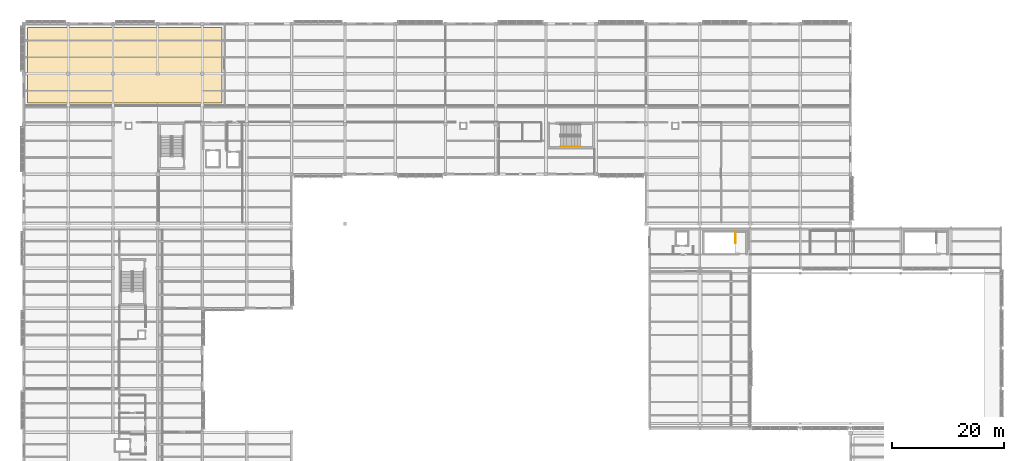
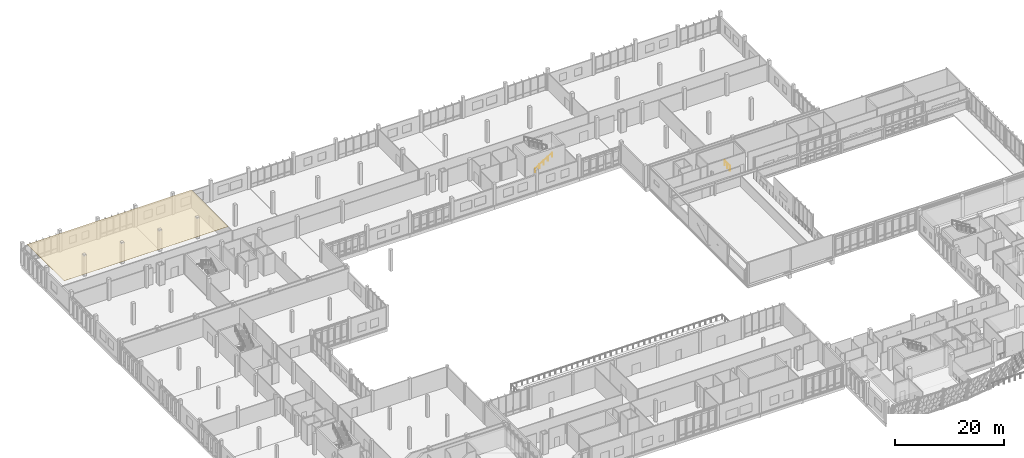
# One storey, part 172 of 177: 2 railings, 1 covering.
"""IFC4 building model written with IfcOpenShell, lengths in metres."""

import ifcopenshell
import ifcopenshell.guid

model = None  # the IFC model being written
_history = None  # IfcOwnerHistory: only IFC2X3 demands one
_inside = {}  # id of a spatial element -> (the spatial element, [elements in it])
_under = {}  # id of a project, library or spatial element -> (it, [spatial elements below it])
_declared = {}  # id of a project -> (the project, [libraries it declares])
_typed = {}  # id of a type object -> (the type object, [elements of that type])
_made_of = {}  # id of a material, layer set ... -> (it, [elements and type objects made of it])


def new_model(schema):
    """Start an empty IFC model of exactly this schema.

    Asked for "IFC4X3", IfcOpenShell would pick the latest addendum, in which some entities
    have other attributes; the version numbers below select the first issue.
    IFC2X3 requires an IfcOwnerHistory on every rooted entity: one is made here for all.
    """
    global model, _history
    if schema == "IFC4X3":
        model = ifcopenshell.file(schema_version=(4, 3, 0, 0))
    else:
        model = ifcopenshell.file(schema=schema)
    _inside.clear()
    _under.clear()
    _declared.clear()
    _typed.clear()
    _made_of.clear()
    _history = None
    if model.schema == "IFC2X3":
        org = make("IfcOrganization", Name="unknown")
        user = make(
            "IfcPersonAndOrganization",
            ThePerson=make("IfcPerson", FamilyName="unknown"),
            TheOrganization=org,
        )
        app = make(
            "IfcApplication",
            ApplicationDeveloper=org,
            Version="unknown",
            ApplicationFullName="unknown",
            ApplicationIdentifier="unknown",
        )
        _history = make(
            "IfcOwnerHistory",
            OwningUser=user,
            OwningApplication=app,
            ChangeAction="ADDED",
            CreationDate=0,
        )
    return model


def make(cls, **values):
    """One entity of the class cls with the attributes given. An attribute that is None is left unset."""
    return model.create_entity(
        cls, **{name: value for name, value in values.items() if value is not None}
    )


def rooted(cls, **values):
    """An entity with a GlobalId (a new one), such as an element, a storey or a relation."""
    return make(cls, GlobalId=ifcopenshell.guid.new(), OwnerHistory=_history, **values)


def si_unit(unit_type, name, prefix=None):
    """IfcSIUnit, for example si_unit("LENGTHUNIT", "METRE", prefix="MILLI")."""
    return make("IfcSIUnit", UnitType=unit_type, Prefix=prefix, Name=name)


def assignment(units):
    """IfcUnitAssignment: the units of a project."""
    return None if units is None else make("IfcUnitAssignment", Units=units)


def point(xyz):
    """IfcCartesianPoint."""
    return None if xyz is None else make("IfcCartesianPoint", Coordinates=xyz)


def direction(xyz):
    """IfcDirection."""
    return None if xyz is None else make("IfcDirection", DirectionRatios=xyz)


def frame(location, z_axis=None, x_axis=None):
    """IfcAxis2Placement3D, a coordinate frame: its origin and axes. An axis left out is left unset."""
    return make(
        "IfcAxis2Placement3D",
        Location=point(location),
        Axis=direction(z_axis),
        RefDirection=direction(x_axis),
    )


def frame_2d(location, x_axis=None):
    """IfcAxis2Placement2D, a coordinate frame in the plane: its origin and x axis."""
    return make(
        "IfcAxis2Placement2D", Location=point(location), RefDirection=direction(x_axis)
    )


def origin():
    """The frame at (0, 0, 0) with its axes left unset."""
    return frame((0.0, 0.0, 0.0))


def origin_2d():
    """The frame at (0, 0) in the plane with its x axis left unset."""
    return frame_2d((0.0, 0.0))


def place(relative_to, where):
    """IfcLocalPlacement: puts the frame where relative to a parent placement (None: the world)."""
    return make(
        "IfcLocalPlacement", PlacementRelTo=relative_to, RelativePlacement=where
    )


def context(
    kind, dimensions, precision=None, world=None, true_north=None, identifier=None
):
    """IfcGeometricRepresentationContext, for example the 3D "Model" context."""
    return make(
        "IfcGeometricRepresentationContext",
        ContextIdentifier=identifier,
        ContextType=kind,
        CoordinateSpaceDimension=dimensions,
        Precision=precision,
        WorldCoordinateSystem=world,
        TrueNorth=true_north,
    )


def subcontext(parent, identifier, kind, view, scale=None):
    """IfcGeometricRepresentationSubContext, for example "Body" below "Model"."""
    return make(
        "IfcGeometricRepresentationSubContext",
        ContextIdentifier=identifier,
        ContextType=kind,
        ParentContext=parent,
        TargetScale=scale,
        TargetView=view,
    )


def project(units=None, contexts=None):
    """IfcProject with its units and contexts."""
    return rooted(
        "IfcProject",
        Name="project",
        RepresentationContexts=contexts,
        UnitsInContext=assignment(units),
    )


def spatial(cls, under=None, at=None, **own):
    """A site, building, storey or space (cls), placed at a placement, below another one or the project."""
    s = rooted(cls, ObjectPlacement=at, **own)
    if under is not None:
        _under.setdefault(under.id(), (under, []))[1].append(s)
    return s


def polyline(points):
    """IfcPolyline through the points."""
    return make("IfcPolyline", Points=[point(p) for p in points])


def profile(cls, at=None, kind="AREA", **sizes):
    """A parametric profile (cls). Its sizes go by their IFC names, for example OverallWidth=200.0."""
    return make(cls, ProfileType=kind, Position=at, **sizes)


def circle(**sizes):
    """IfcCircleProfileDef."""
    return profile("IfcCircleProfileDef", **sizes)


def outline(outer, holes=None, kind="AREA"):
    """IfcArbitraryClosedProfileDef: a profile drawn as a closed curve; with holes, ...WithVoids."""
    if holes is None:
        return make("IfcArbitraryClosedProfileDef", ProfileType=kind, OuterCurve=outer)
    return make(
        "IfcArbitraryProfileDefWithVoids",
        ProfileType=kind,
        OuterCurve=outer,
        InnerCurves=holes,
    )


def extrude(swept, where, along, depth):
    """IfcExtrudedAreaSolid: the profile swept, set in the frame where, extruded along a direction by depth."""
    return make(
        "IfcExtrudedAreaSolid",
        SweptArea=swept,
        Position=where,
        ExtrudedDirection=direction(along),
        Depth=depth,
    )


def shape(context_of_items, identifier, shape_type, items):
    """IfcShapeRepresentation: the items that make up one representation, for example the "Body"."""
    return make(
        "IfcShapeRepresentation",
        ContextOfItems=context_of_items,
        RepresentationIdentifier=identifier,
        RepresentationType=shape_type,
        Items=items,
    )


def material(Name=None, Category=None):
    """IfcMaterial."""
    return make("IfcMaterial", Name=Name, Category=Category)


def layer(
    of_material, thickness, ventilated=None, Name=None, Category=None, Priority=None
):
    """IfcMaterialLayer: one layer of a wall or slab, of a material (None: an air gap)."""
    return make(
        "IfcMaterialLayer",
        Material=of_material,
        LayerThickness=thickness,
        IsVentilated=ventilated,
        Name=Name,
        Category=Category,
        Priority=Priority,
    )


def layer_set(layers, Name=None):
    """IfcMaterialLayerSet."""
    return make("IfcMaterialLayerSet", MaterialLayers=layers, LayerSetName=Name)


def made_of(thing, what):
    """Note that an element or type object is made of a material, layer set ...; save() writes the relation."""
    if what is not None:
        _made_of.setdefault(what.id(), (what, []))[1].append(thing)
    return thing


def type_object(cls, material=None, **own):
    """A type object (cls), such as IfcWallType, which elements share."""
    return made_of(rooted(cls, **own), material)


def element(
    cls,
    number,
    at=None,
    inside=None,
    cuts=None,
    type_object=None,
    material=None,
    context=None,
    identifier="Body",
    shape_type=None,
    held_by="IfcProductDefinitionShape",
    body=None,
    shapes=None,
    **own,
):
    """One element of the class cls, such as IfcWall. Its Tag is "e" and its number.

    at: its placement. inside: the storey or other place that contains it. cuts: it is an
    opening in that element (IfcRelVoidsElement). A single representation is given by context,
    identifier, shape_type and body (its items); several are given by shapes. held_by: the class
    of the entity that holds the representations. save() writes the other relations.
    """
    e = rooted(cls, Tag="e%d" % number, ObjectPlacement=at, **own)
    if body is not None:
        shapes = [shape(context, identifier, shape_type, body)]
    if shapes is not None:
        e.Representation = make(held_by, Representations=shapes)
    if inside is not None:
        _inside.setdefault(inside.id(), (inside, []))[1].append(e)
    if cuts is not None:
        rooted(
            "IfcRelVoidsElement", RelatingBuildingElement=cuts, RelatedOpeningElement=e
        )
    if type_object is not None:
        _typed.setdefault(type_object.id(), (type_object, []))[1].append(e)
    return made_of(e, material)


def aggregate(whole, parts):
    """IfcRelAggregates: a whole, such as a stair, and the parts it consists of."""
    return rooted("IfcRelAggregates", RelatingObject=whole, RelatedObjects=parts)


def save(model, path):
    """Write the relations noted so far, then the file.

    IfcRelAggregates (storeys below a building ...), IfcRelContainedInSpatialStructure (elements
    in a storey), IfcRelDefinesByType, IfcRelAssociatesMaterial and IfcRelDeclares: one each for
    every whole, place, type object, material and project.
    """
    for whole, parts in _under.values():
        aggregate(whole, parts)
    for where, things in _inside.values():
        rooted(
            "IfcRelContainedInSpatialStructure",
            RelatedElements=things,
            RelatingStructure=where,
        )
    for kind, things in _typed.values():
        rooted("IfcRelDefinesByType", RelatedObjects=things, RelatingType=kind)
    for what, things in _made_of.values():
        rooted("IfcRelAssociatesMaterial", RelatedObjects=things, RelatingMaterial=what)
    for by, libraries in _declared.values():
        rooted("IfcRelDeclares", RelatingContext=by, RelatedDefinitions=libraries)
    model.write(path)


model = new_model("IFC4")

# Units and contexts
model_context = context("Model", 3, precision=1e-05, world=origin(), true_north=direction((0.0, 1.0)))
body_context = subcontext(model_context, "Body", "Model", "MODEL_VIEW")
ifc_project = project(units=[si_unit("LENGTHUNIT", "METRE"), si_unit("AREAUNIT", "SQUARE_METRE"), si_unit("VOLUMEUNIT", "CUBIC_METRE"), si_unit("PLANEANGLEUNIT", "RADIAN"), si_unit("MASSUNIT", "GRAM", prefix="KILO")], contexts=[model_context])

# Site, building, storey
site_placement = place(None, origin())
site = spatial("IfcSite", under=ifc_project, at=site_placement, CompositionType="ELEMENT")
building_placement = place(site_placement, origin())
building = spatial("IfcBuilding", under=site, at=building_placement, Name="Chiffa Square Polytechnic", CompositionType="ELEMENT")
storey_placement = place(building_placement, frame((0.0, 0.0, 4.800048828125)))
storey = spatial("IfcBuildingStorey", under=building, at=storey_placement, Name="L01", CompositionType="ELEMENT", Elevation=4.800048828125)

# Covering
ifc_material_1 = material(Name="Perforated gypsum acoustic board")
ifc_layer_1 = layer(ifc_material_1, 0.02490234375, Name="Perforated gypsum acoustic board")
ifc_layer_set_1 = layer_set([ifc_layer_1], Name="Perforated gypsum acoustic board")
covering_type = type_object("IfcCoveringType", Name="COV-CEIL-GYP", PredefinedType="CEILING", material=ifc_layer_set_1)
covering_placement = place(storey_placement, frame((0.0, 0.0, 4.45703125)))
element("IfcCovering", 1, at=covering_placement, inside=storey, type_object=covering_type, Name="Suspended acoustic ceiling CL-V5-L01-032", PredefinedType="CEILING", context=body_context, shape_type="SweptSolid", body=[
    extrude(outline(polyline([(35.550048828125, 116.550048828125), (0.669921875, 116.550048828125), (0.669921875, 130.1298828125), (35.550048828125, 130.1298828125), (35.550048828125, 116.550048828125)])), origin(), (0.0, 0.0, 1.0), 0.02490234375),
])

# Railings
ifc_material_2 = material(Name="Steel S355", Category="steel")
ifc_layer_2 = layer(ifc_material_2, 0.050048828125, Name="Steel S355")
ifc_layer_set_2 = layer_set([ifc_layer_2], Name="Steel S355")
railing_type_1 = type_object("IfcRailingType", Name="RL-STAIR-GUARD", PredefinedType="GUARDRAIL", material=ifc_layer_set_2)
railing_1_placement = place(storey_placement, frame((127.60009765625, 93.449951171875, 0.0)))
element("IfcRailing", 2, at=railing_1_placement, inside=storey, type_object=railing_type_1, Name="L01 ST-V2A top well guard 1", PredefinedType="GUARDRAIL", context=body_context, shape_type="SweptSolid", body=[
    extrude(circle(Radius=0.02392578125, at=origin_2d()), frame((0.0, 0.0, 1.076171875), z_axis=(0.0, -1.0, 0.0), x_axis=(1.0, 0.0, 0.0)), (0.0, 0.0, 1.0), 1.949951171875),
    extrude(circle(Radius=0.02099609375, at=origin_2d()), origin(), (0.0, 0.0, 1.0), 1.052001953125),
    extrude(circle(Radius=0.02099609375, at=origin_2d()), frame((0.0, -0.97509765625, 0.0)), (0.0, 0.0, 1.0), 1.052001953125),
    extrude(circle(Radius=0.02099609375, at=origin_2d()), frame((0.0, -1.949951171875, 0.0)), (0.0, 0.0, 1.0), 1.052001953125),
])
ifc_layer_3 = layer(ifc_material_2, 0.044921875, Name="Steel S355")
ifc_layer_set_3 = layer_set([ifc_layer_3], Name="Steel S355")
railing_type_2 = type_object("IfcRailingType", Name="RL-STAIR-HAND", PredefinedType="HANDRAIL", material=ifc_layer_set_3)
railing_2_placement = place(storey_placement, frame((96.199951171875, 108.75, 0.17138671875)))
element("IfcRailing", 3, at=railing_2_placement, inside=storey, type_object=railing_type_2, Name="L01 ST-V5B stair handrail 1", PredefinedType="HANDRAIL", context=body_context, shape_type="SweptSolid", body=[
    extrude(circle(Radius=0.02392578125, at=origin_2d()), frame((0.0, 0.0, 0.89599609375), z_axis=(0.852865859571, 0.0, 0.52213008492), x_axis=(0.0, 1.0, 0.0)), (0.0, 0.0, 1.0), 4.26806640625),
    extrude(circle(Radius=0.02099609375, at=origin_2d()), origin(), (0.0, 0.0, 1.0), 0.871826171875),
    extrude(circle(Radius=0.02099609375, at=origin_2d()), frame((0.91015625, 0.0, 0.55712890625)), (0.0, 0.0, 1.0), 0.871826171875),
    extrude(circle(Radius=0.02099609375, at=origin_2d()), frame((1.820068359375, 0.0, 1.1142578125)), (0.0, 0.0, 1.0), 0.871826171875),
    extrude(circle(Radius=0.02099609375, at=origin_2d()), frame((2.72998046875, 0.0, 1.67138671875)), (0.0, 0.0, 1.0), 0.871826171875),
    extrude(circle(Radius=0.02099609375, at=origin_2d()), frame((3.64013671875, 0.0, 2.228515625)), (0.0, 0.0, 1.0), 0.871826171875),
])

save(model, "model.ifc")
